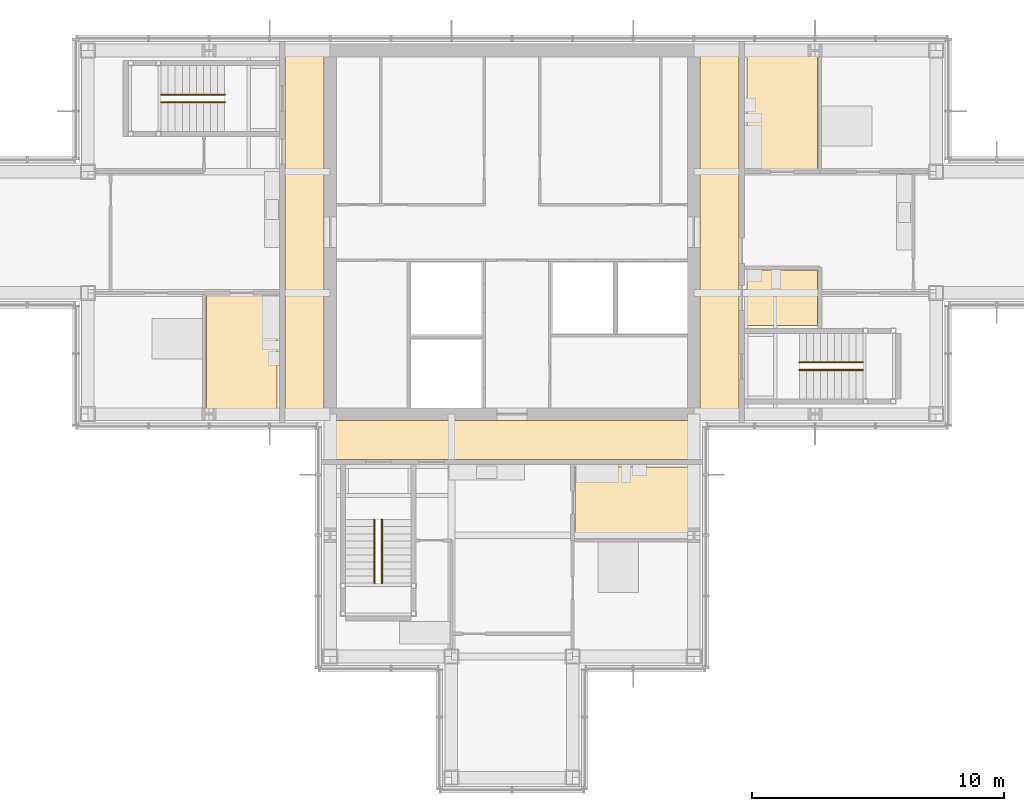
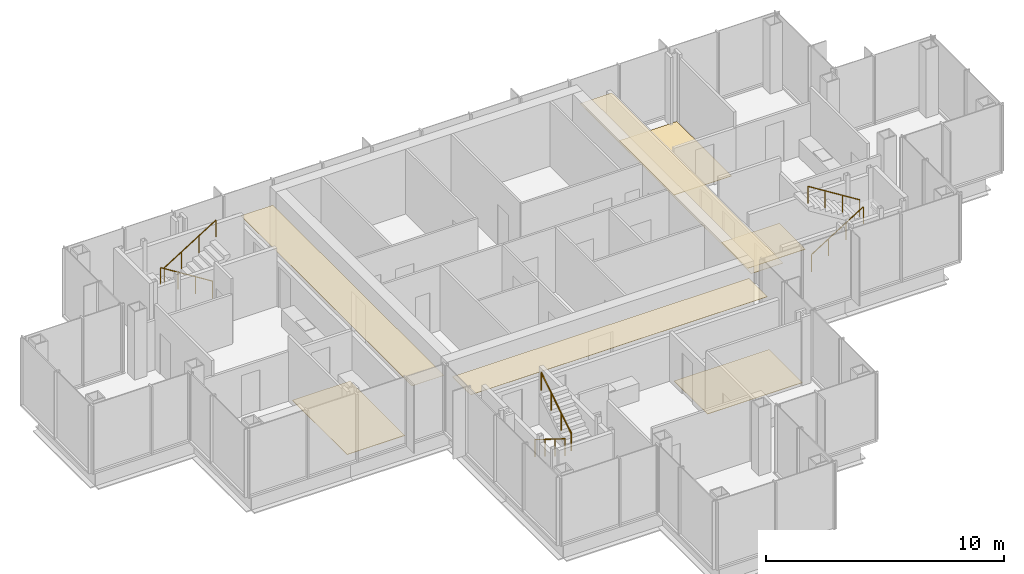
# One storey, part 13 of 15: 7 coverings, 6 railings.
"""IFC4 building model written with IfcOpenShell, lengths in metres."""

import ifcopenshell
import ifcopenshell.guid

model = None  # the IFC model being written
_history = None  # IfcOwnerHistory: only IFC2X3 demands one
_inside = {}  # id of a spatial element -> (the spatial element, [elements in it])
_under = {}  # id of a project, library or spatial element -> (it, [spatial elements below it])
_declared = {}  # id of a project -> (the project, [libraries it declares])
_typed = {}  # id of a type object -> (the type object, [elements of that type])
_made_of = {}  # id of a material, layer set ... -> (it, [elements and type objects made of it])


def new_model(schema):
    """Start an empty IFC model of exactly this schema.

    Asked for "IFC4X3", IfcOpenShell would pick the latest addendum, in which some entities
    have other attributes; the version numbers below select the first issue.
    IFC2X3 requires an IfcOwnerHistory on every rooted entity: one is made here for all.
    """
    global model, _history
    if schema == "IFC4X3":
        model = ifcopenshell.file(schema_version=(4, 3, 0, 0))
    else:
        model = ifcopenshell.file(schema=schema)
    _inside.clear()
    _under.clear()
    _declared.clear()
    _typed.clear()
    _made_of.clear()
    _history = None
    if model.schema == "IFC2X3":
        org = make("IfcOrganization", Name="unknown")
        user = make(
            "IfcPersonAndOrganization",
            ThePerson=make("IfcPerson", FamilyName="unknown"),
            TheOrganization=org,
        )
        app = make(
            "IfcApplication",
            ApplicationDeveloper=org,
            Version="unknown",
            ApplicationFullName="unknown",
            ApplicationIdentifier="unknown",
        )
        _history = make(
            "IfcOwnerHistory",
            OwningUser=user,
            OwningApplication=app,
            ChangeAction="ADDED",
            CreationDate=0,
        )
    return model


def make(cls, **values):
    """One entity of the class cls with the attributes given. An attribute that is None is left unset."""
    return model.create_entity(
        cls, **{name: value for name, value in values.items() if value is not None}
    )


def rooted(cls, **values):
    """An entity with a GlobalId (a new one), such as an element, a storey or a relation."""
    return make(cls, GlobalId=ifcopenshell.guid.new(), OwnerHistory=_history, **values)


def si_unit(unit_type, name, prefix=None):
    """IfcSIUnit, for example si_unit("LENGTHUNIT", "METRE", prefix="MILLI")."""
    return make("IfcSIUnit", UnitType=unit_type, Prefix=prefix, Name=name)


def assignment(units):
    """IfcUnitAssignment: the units of a project."""
    return None if units is None else make("IfcUnitAssignment", Units=units)


def point(xyz):
    """IfcCartesianPoint."""
    return None if xyz is None else make("IfcCartesianPoint", Coordinates=xyz)


def direction(xyz):
    """IfcDirection."""
    return None if xyz is None else make("IfcDirection", DirectionRatios=xyz)


def frame(location, z_axis=None, x_axis=None):
    """IfcAxis2Placement3D, a coordinate frame: its origin and axes. An axis left out is left unset."""
    return make(
        "IfcAxis2Placement3D",
        Location=point(location),
        Axis=direction(z_axis),
        RefDirection=direction(x_axis),
    )


def frame_2d(location, x_axis=None):
    """IfcAxis2Placement2D, a coordinate frame in the plane: its origin and x axis."""
    return make(
        "IfcAxis2Placement2D", Location=point(location), RefDirection=direction(x_axis)
    )


def origin():
    """The frame at (0, 0, 0) with its axes left unset."""
    return frame((0.0, 0.0, 0.0))


def origin_2d():
    """The frame at (0, 0) in the plane with its x axis left unset."""
    return frame_2d((0.0, 0.0))


def place(relative_to, where):
    """IfcLocalPlacement: puts the frame where relative to a parent placement (None: the world)."""
    return make(
        "IfcLocalPlacement", PlacementRelTo=relative_to, RelativePlacement=where
    )


def context(
    kind, dimensions, precision=None, world=None, true_north=None, identifier=None
):
    """IfcGeometricRepresentationContext, for example the 3D "Model" context."""
    return make(
        "IfcGeometricRepresentationContext",
        ContextIdentifier=identifier,
        ContextType=kind,
        CoordinateSpaceDimension=dimensions,
        Precision=precision,
        WorldCoordinateSystem=world,
        TrueNorth=true_north,
    )


def subcontext(parent, identifier, kind, view, scale=None):
    """IfcGeometricRepresentationSubContext, for example "Body" below "Model"."""
    return make(
        "IfcGeometricRepresentationSubContext",
        ContextIdentifier=identifier,
        ContextType=kind,
        ParentContext=parent,
        TargetScale=scale,
        TargetView=view,
    )


def project(units=None, contexts=None):
    """IfcProject with its units and contexts."""
    return rooted(
        "IfcProject",
        Name="project",
        RepresentationContexts=contexts,
        UnitsInContext=assignment(units),
    )


def spatial(cls, under=None, at=None, **own):
    """A site, building, storey or space (cls), placed at a placement, below another one or the project."""
    s = rooted(cls, ObjectPlacement=at, **own)
    if under is not None:
        _under.setdefault(under.id(), (under, []))[1].append(s)
    return s


def polyline(points):
    """IfcPolyline through the points."""
    return make("IfcPolyline", Points=[point(p) for p in points])


def profile(cls, at=None, kind="AREA", **sizes):
    """A parametric profile (cls). Its sizes go by their IFC names, for example OverallWidth=200.0."""
    return make(cls, ProfileType=kind, Position=at, **sizes)


def circle(**sizes):
    """IfcCircleProfileDef."""
    return profile("IfcCircleProfileDef", **sizes)


def outline(outer, holes=None, kind="AREA"):
    """IfcArbitraryClosedProfileDef: a profile drawn as a closed curve; with holes, ...WithVoids."""
    if holes is None:
        return make("IfcArbitraryClosedProfileDef", ProfileType=kind, OuterCurve=outer)
    return make(
        "IfcArbitraryProfileDefWithVoids",
        ProfileType=kind,
        OuterCurve=outer,
        InnerCurves=holes,
    )


def extrude(swept, where, along, depth):
    """IfcExtrudedAreaSolid: the profile swept, set in the frame where, extruded along a direction by depth."""
    return make(
        "IfcExtrudedAreaSolid",
        SweptArea=swept,
        Position=where,
        ExtrudedDirection=direction(along),
        Depth=depth,
    )


def shape(context_of_items, identifier, shape_type, items):
    """IfcShapeRepresentation: the items that make up one representation, for example the "Body"."""
    return make(
        "IfcShapeRepresentation",
        ContextOfItems=context_of_items,
        RepresentationIdentifier=identifier,
        RepresentationType=shape_type,
        Items=items,
    )


def material(Name=None, Category=None):
    """IfcMaterial."""
    return make("IfcMaterial", Name=Name, Category=Category)


def layer(
    of_material, thickness, ventilated=None, Name=None, Category=None, Priority=None
):
    """IfcMaterialLayer: one layer of a wall or slab, of a material (None: an air gap)."""
    return make(
        "IfcMaterialLayer",
        Material=of_material,
        LayerThickness=thickness,
        IsVentilated=ventilated,
        Name=Name,
        Category=Category,
        Priority=Priority,
    )


def layer_set(layers, Name=None):
    """IfcMaterialLayerSet."""
    return make("IfcMaterialLayerSet", MaterialLayers=layers, LayerSetName=Name)


def made_of(thing, what):
    """Note that an element or type object is made of a material, layer set ...; save() writes the relation."""
    if what is not None:
        _made_of.setdefault(what.id(), (what, []))[1].append(thing)
    return thing


def type_object(cls, material=None, **own):
    """A type object (cls), such as IfcWallType, which elements share."""
    return made_of(rooted(cls, **own), material)


def element(
    cls,
    number,
    at=None,
    inside=None,
    cuts=None,
    type_object=None,
    material=None,
    context=None,
    identifier="Body",
    shape_type=None,
    held_by="IfcProductDefinitionShape",
    body=None,
    shapes=None,
    **own,
):
    """One element of the class cls, such as IfcWall. Its Tag is "e" and its number.

    at: its placement. inside: the storey or other place that contains it. cuts: it is an
    opening in that element (IfcRelVoidsElement). A single representation is given by context,
    identifier, shape_type and body (its items); several are given by shapes. held_by: the class
    of the entity that holds the representations. save() writes the other relations.
    """
    e = rooted(cls, Tag="e%d" % number, ObjectPlacement=at, **own)
    if body is not None:
        shapes = [shape(context, identifier, shape_type, body)]
    if shapes is not None:
        e.Representation = make(held_by, Representations=shapes)
    if inside is not None:
        _inside.setdefault(inside.id(), (inside, []))[1].append(e)
    if cuts is not None:
        rooted(
            "IfcRelVoidsElement", RelatingBuildingElement=cuts, RelatedOpeningElement=e
        )
    if type_object is not None:
        _typed.setdefault(type_object.id(), (type_object, []))[1].append(e)
    return made_of(e, material)


def aggregate(whole, parts):
    """IfcRelAggregates: a whole, such as a stair, and the parts it consists of."""
    return rooted("IfcRelAggregates", RelatingObject=whole, RelatedObjects=parts)


def save(model, path):
    """Write the relations noted so far, then the file.

    IfcRelAggregates (storeys below a building ...), IfcRelContainedInSpatialStructure (elements
    in a storey), IfcRelDefinesByType, IfcRelAssociatesMaterial and IfcRelDeclares: one each for
    every whole, place, type object, material and project.
    """
    for whole, parts in _under.values():
        aggregate(whole, parts)
    for where, things in _inside.values():
        rooted(
            "IfcRelContainedInSpatialStructure",
            RelatedElements=things,
            RelatingStructure=where,
        )
    for kind, things in _typed.values():
        rooted("IfcRelDefinesByType", RelatedObjects=things, RelatingType=kind)
    for what, things in _made_of.values():
        rooted("IfcRelAssociatesMaterial", RelatedObjects=things, RelatingMaterial=what)
    for by, libraries in _declared.values():
        rooted("IfcRelDeclares", RelatingContext=by, RelatedDefinitions=libraries)
    model.write(path)


model = new_model("IFC4")

# Units and contexts
model_context = context("Model", 3, precision=1e-05, world=origin(), true_north=direction((0.0, 1.0)))
body_context = subcontext(model_context, "Body", "Model", "MODEL_VIEW")
ifc_project = project(units=[si_unit("LENGTHUNIT", "METRE"), si_unit("AREAUNIT", "SQUARE_METRE"), si_unit("VOLUMEUNIT", "CUBIC_METRE"), si_unit("PLANEANGLEUNIT", "RADIAN"), si_unit("MASSUNIT", "GRAM", prefix="KILO")], contexts=[model_context])

# Site, building, storey
site_placement = place(None, origin())
site = spatial("IfcSite", under=ifc_project, at=site_placement, CompositionType="ELEMENT")
building_placement = place(site_placement, origin())
building = spatial("IfcBuilding", under=site, at=building_placement, Name="Kvirike Care Tower", CompositionType="ELEMENT")
storey_placement = place(building_placement, frame((0.0, 0.0, 201.5)))
storey = spatial("IfcBuildingStorey", under=building, at=storey_placement, Name="L55", CompositionType="ELEMENT", Elevation=201.5)

# Coverings
ifc_material_1 = material(Name="Perforated metal ceiling tile", Category="aluminium")
ifc_layer_1 = layer(ifc_material_1, 0.014892578125)
ifc_layer_set_1 = layer_set([ifc_layer_1], Name="CORRIDOR CEILING 15")
covering_type_1 = type_object("IfcCoveringType", Name="CORRIDOR CEILING 15", PredefinedType="CEILING", material=ifc_layer_set_1)
covering_1_placement = place(storey_placement, frame((0.0, 0.0, 2.5)))
element("IfcCovering", 1, at=covering_1_placement, inside=storey, type_object=covering_type_1, Name="Corridor ceiling L55", PredefinedType="CEILING", context=body_context, shape_type="SweptSolid", body=[
    extrude(outline(polyline([(12.60009765625, 43.199951171875), (14.14990234375, 43.199951171875), (14.14990234375, 28.800048828125), (12.60009765625, 28.800048828125), (12.60009765625, 43.199951171875)])), origin(), (0.0, 0.0, 1.0), 0.014892578125),
])
covering_2_placement = place(storey_placement, frame((0.0, 0.0, 2.5)))
element("IfcCovering", 2, at=covering_2_placement, inside=storey, type_object=covering_type_1, Name="Corridor ceiling L55", PredefinedType="CEILING", context=body_context, shape_type="SweptSolid", body=[
    extrude(outline(polyline([(14.39990234375, 27.0), (14.39990234375, 28.550048828125), (28.800048828125, 28.550048828125), (28.800048828125, 27.0), (14.39990234375, 27.0)])), origin(), (0.0, 0.0, 1.0), 0.014892578125),
])
covering_3_placement = place(storey_placement, frame((0.0, 0.0, 2.5)))
element("IfcCovering", 3, at=covering_3_placement, inside=storey, type_object=covering_type_1, Name="Corridor ceiling L55", PredefinedType="CEILING", context=body_context, shape_type="SweptSolid", body=[
    extrude(outline(polyline([(30.60009765625, 28.800048828125), (29.050048828125, 28.800048828125), (29.050048828125, 43.199951171875), (30.60009765625, 43.199951171875), (30.60009765625, 28.800048828125)])), origin(), (0.0, 0.0, 1.0), 0.014892578125),
])

# Railings
ifc_material_2 = material(Name="Stainless steel handrail", Category="steel")
railing_type = type_object("IfcRailingType", Name="STAIR HANDRAIL 900", PredefinedType="HANDRAIL", material=ifc_material_2)
railing_1_placement = place(storey_placement, frame((10.219970703125, 41.449951171875, 0.175048828125)))
element("IfcRailing", 4, at=railing_1_placement, inside=storey, type_object=railing_type, Name="Stair 1 handrail L55 flight 1", PredefinedType="HANDRAIL", context=body_context, shape_type="SweptSolid", body=[
    extrude(circle(Radius=0.02490234375, at=origin_2d()), frame((0.0, 0.0, 0.875), z_axis=(-0.848007534815, 0.0, 0.529984170421), x_axis=(0.0, -1.0, 0.0)), (0.0, 0.0, 1.0), 2.9716796875),
    extrude(circle(Radius=0.02001953125, at=origin_2d()), origin(), (0.0, 0.0, 1.0), 0.849853515625),
    extrude(circle(Radius=0.02001953125, at=origin_2d()), frame((-0.840087890625, 0.0, 0.52490234375)), (0.0, 0.0, 1.0), 0.849853515625),
    extrude(circle(Radius=0.02001953125, at=origin_2d()), frame((-1.679931640625, 0.0, 1.050048828125)), (0.0, 0.0, 1.0), 0.849853515625),
    extrude(circle(Radius=0.02001953125, at=origin_2d()), frame((-2.52001953125, 0.0, 1.574951171875)), (0.0, 0.0, 1.0), 0.849853515625),
])
for number, where, name in (
    (5, (7.699951171875, 41.14990234375, 1.925048828125), "Stair 1 handrail L55 flight 2"),
    (6, (32.97998046875, 30.550048828125, 0.175048828125), "Stair 2 handrail L55 flight 1"),
):
    element("IfcRailing", number, at=place(storey_placement, frame(where)), inside=storey, type_object=railing_type, Name=name, PredefinedType="HANDRAIL", context=body_context, shape_type="SweptSolid", body=[
        extrude(circle(Radius=0.02490234375, at=origin_2d()), frame((0.0, 0.0, 0.875), z_axis=(0.848007534815, 0.0, 0.529984170421), x_axis=(0.0, 1.0, 0.0)), (0.0, 0.0, 1.0), 2.9716796875),
        extrude(circle(Radius=0.02001953125, at=origin_2d()), origin(), (0.0, 0.0, 1.0), 0.849853515625),
        extrude(circle(Radius=0.02001953125, at=origin_2d()), frame((0.840087890625, 0.0, 0.52490234375)), (0.0, 0.0, 1.0), 0.849853515625),
        extrude(circle(Radius=0.02001953125, at=origin_2d()), frame((1.679931640625, 0.0, 1.050048828125)), (0.0, 0.0, 1.0), 0.849853515625),
        extrude(circle(Radius=0.02001953125, at=origin_2d()), frame((2.52001953125, 0.0, 1.574951171875)), (0.0, 0.0, 1.0), 0.849853515625),
    ])
railing_2_placement = place(storey_placement, frame((35.5, 30.85009765625, 1.925048828125)))
element("IfcRailing", 7, at=railing_2_placement, inside=storey, type_object=railing_type, Name="Stair 2 handrail L55 flight 2", PredefinedType="HANDRAIL", context=body_context, shape_type="SweptSolid", body=[
    extrude(circle(Radius=0.02490234375, at=origin_2d()), frame((0.0, 0.0, 0.875), z_axis=(-0.848007534815, 0.0, 0.529984170421), x_axis=(0.0, -1.0, 0.0)), (0.0, 0.0, 1.0), 2.9716796875),
    extrude(circle(Radius=0.02001953125, at=origin_2d()), origin(), (0.0, 0.0, 1.0), 0.849853515625),
    extrude(circle(Radius=0.02001953125, at=origin_2d()), frame((-0.840087890625, 0.0, 0.52490234375)), (0.0, 0.0, 1.0), 0.849853515625),
    extrude(circle(Radius=0.02001953125, at=origin_2d()), frame((-1.679931640625, 0.0, 1.050048828125)), (0.0, 0.0, 1.0), 0.849853515625),
    extrude(circle(Radius=0.02001953125, at=origin_2d()), frame((-2.52001953125, 0.0, 1.574951171875)), (0.0, 0.0, 1.0), 0.849853515625),
])
railing_3_placement = place(storey_placement, frame((16.14990234375, 24.6201171875, 0.175048828125)))
element("IfcRailing", 8, at=railing_3_placement, inside=storey, type_object=railing_type, Name="Stair 5 handrail L55 flight 1", PredefinedType="HANDRAIL", context=body_context, shape_type="SweptSolid", body=[
    extrude(circle(Radius=0.02490234375, at=origin_2d()), frame((0.0, 0.0, 0.875), z_axis=(0.0, -0.848007534815, 0.529984170421), x_axis=(1.0, 0.0, 0.0)), (0.0, 0.0, 1.0), 2.9716796875),
    extrude(circle(Radius=0.02001953125, at=origin_2d()), origin(), (0.0, 0.0, 1.0), 0.849853515625),
    extrude(circle(Radius=0.02001953125, at=origin_2d()), frame((0.0, -0.840087890625, 0.52490234375)), (0.0, 0.0, 1.0), 0.849853515625),
    extrude(circle(Radius=0.02001953125, at=origin_2d()), frame((0.0, -1.679931640625, 1.050048828125)), (0.0, 0.0, 1.0), 0.849853515625),
    extrude(circle(Radius=0.02001953125, at=origin_2d()), frame((0.0, -2.52001953125, 1.574951171875)), (0.0, 0.0, 1.0), 0.849853515625),
])
railing_4_placement = place(storey_placement, frame((16.449951171875, 22.10009765625, 1.925048828125)))
element("IfcRailing", 9, at=railing_4_placement, inside=storey, type_object=railing_type, Name="Stair 5 handrail L55 flight 2", PredefinedType="HANDRAIL", context=body_context, shape_type="SweptSolid", body=[
    extrude(circle(Radius=0.02490234375, at=origin_2d()), frame((0.0, 0.0, 0.875), z_axis=(0.0, 0.848007534815, 0.529984170421), x_axis=(-1.0, 0.0, 0.0)), (0.0, 0.0, 1.0), 2.9716796875),
    extrude(circle(Radius=0.02001953125, at=origin_2d()), origin(), (0.0, 0.0, 1.0), 0.849853515625),
    extrude(circle(Radius=0.02001953125, at=origin_2d()), frame((0.0, 0.840087890625, 0.52490234375)), (0.0, 0.0, 1.0), 0.849853515625),
    extrude(circle(Radius=0.02001953125, at=origin_2d()), frame((0.0, 1.679931640625, 1.050048828125)), (0.0, 0.0, 1.0), 0.849853515625),
    extrude(circle(Radius=0.02001953125, at=origin_2d()), frame((0.0, 2.52001953125, 1.574951171875)), (0.0, 0.0, 1.0), 0.849853515625),
])

# Coverings
ifc_material_3 = material(Name="Slip-resistant vinyl safety flooring on screed")
ifc_layer_2 = layer(ifc_material_3, 0.02001953125)
ifc_layer_set_2 = layer_set([ifc_layer_2], Name="WET ROOM FLOOR 20")
covering_type_2 = type_object("IfcCoveringType", Name="WET ROOM FLOOR 20", PredefinedType="FLOORING", material=ifc_layer_set_2)
covering_4_placement = place(storey_placement, origin())
element("IfcCovering", 10, at=covering_4_placement, inside=storey, type_object=covering_type_2, Name="Bathroom floor L55-006", PredefinedType="FLOORING", context=body_context, shape_type="SweptSolid", body=[
    extrude(outline(polyline([(9.5, 33.5), (12.300048828125, 33.5), (12.300048828125, 28.89990234375), (9.5, 28.89990234375), (9.5, 33.5)])), origin(), (0.0, 0.0, 1.0), 0.02001953125),
])
covering_5_placement = place(storey_placement, origin())
element("IfcCovering", 11, at=covering_5_placement, inside=storey, type_object=covering_type_2, Name="Bathroom floor L55-013", PredefinedType="FLOORING", context=body_context, shape_type="SweptSolid", body=[
    extrude(outline(polyline([(24.10009765625, 23.89990234375), (24.10009765625, 26.699951171875), (28.699951171875, 26.699951171875), (28.699951171875, 23.89990234375), (24.10009765625, 23.89990234375)])), origin(), (0.0, 0.0, 1.0), 0.02001953125),
])
covering_6_placement = place(storey_placement, origin())
element("IfcCovering", 12, at=covering_6_placement, inside=storey, type_object=covering_type_2, Name="Accessible WC floor L55-020", PredefinedType="FLOORING", context=body_context, shape_type="SweptSolid", body=[
    extrude(outline(polyline([(33.699951171875, 32.300048828125), (30.89990234375, 32.300048828125), (30.89990234375, 34.5), (33.699951171875, 34.5), (33.699951171875, 32.300048828125)])), origin(), (0.0, 0.0, 1.0), 0.02001953125),
])
covering_7_placement = place(storey_placement, origin())
element("IfcCovering", 13, at=covering_7_placement, inside=storey, type_object=covering_type_2, Name="Bathroom floor L55-021", PredefinedType="FLOORING", context=body_context, shape_type="SweptSolid", body=[
    extrude(outline(polyline([(33.699951171875, 38.5), (30.89990234375, 38.5), (30.89990234375, 43.10009765625), (33.699951171875, 43.10009765625), (33.699951171875, 38.5)])), origin(), (0.0, 0.0, 1.0), 0.02001953125),
])

save(model, "model.ifc")
